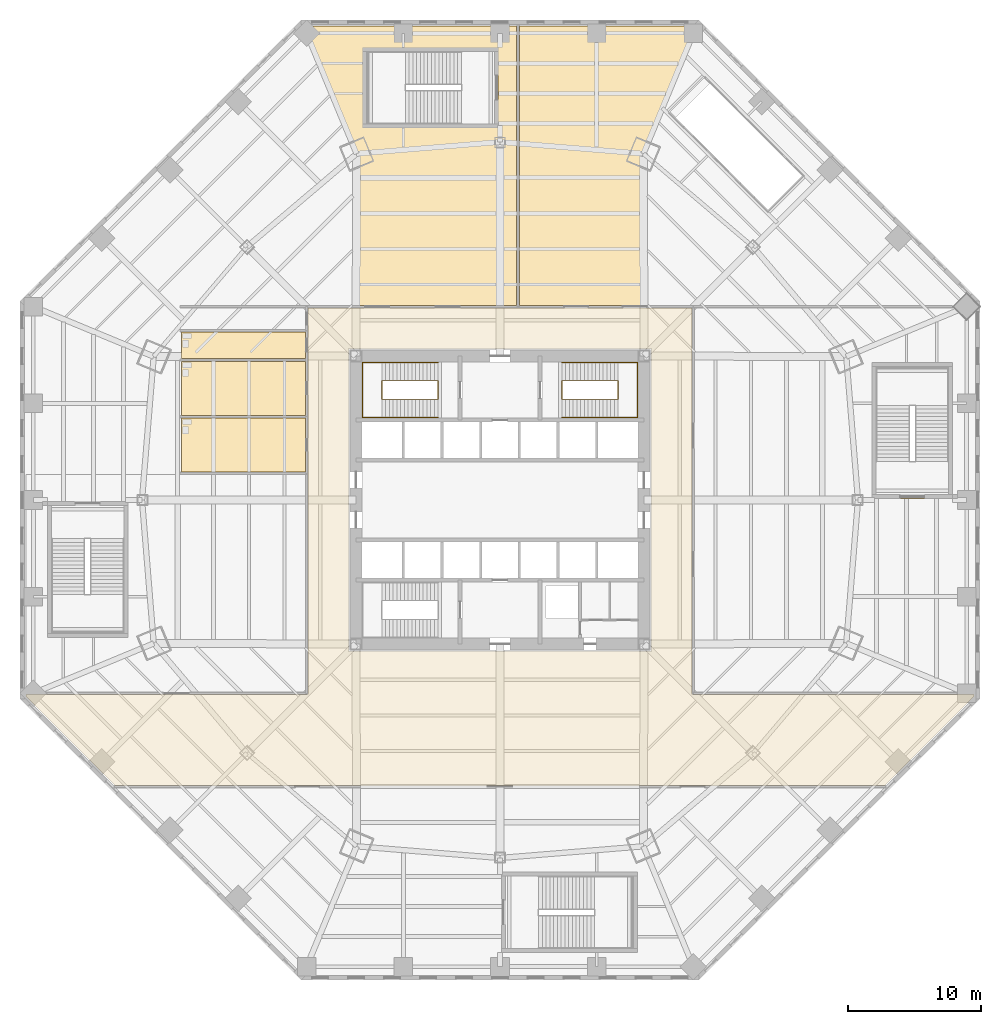
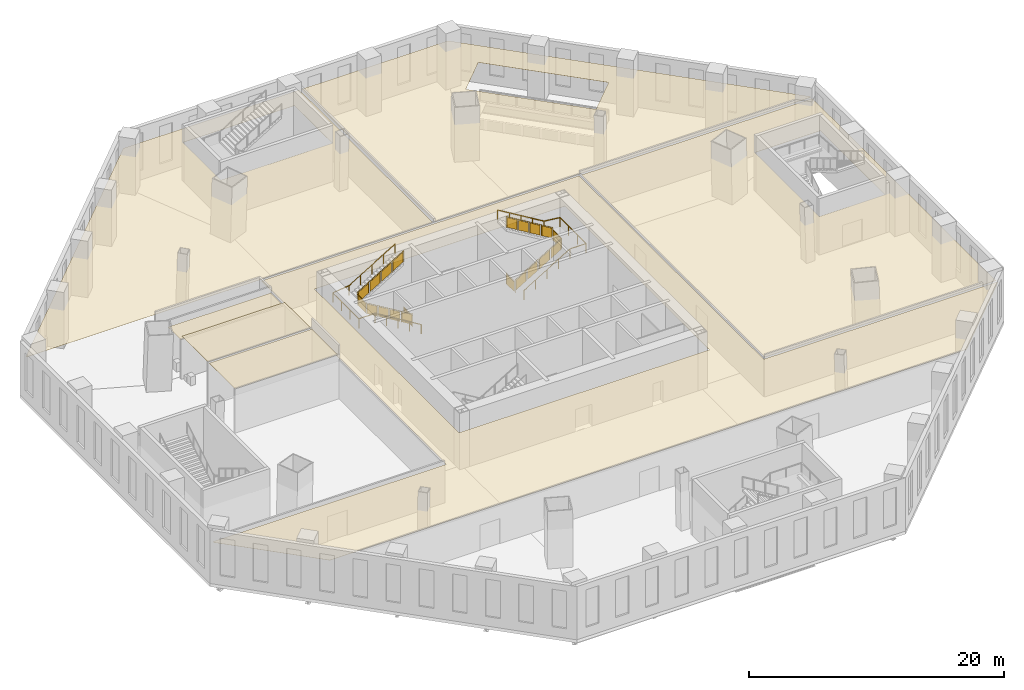
# One storey, part 16 of 18: 7 coverings, 4 railings.
"""IFC4 building model written with IfcOpenShell, lengths in metres."""

from ifc_helpers import new_model, si_unit, direction, frame, origin, origin_2d, place, context, subcontext, project, spatial, polyline, circle, outline, extrude, material, layer, layer_set, type_object, element, save


model = new_model("IFC4")

# Units and contexts
model_context = context("Model", 3, precision=1e-05, world=origin(), true_north=direction((0.0, 1.0)))
body_context = subcontext(model_context, "Body", "Model", "MODEL_VIEW")
ifc_project = project(units=[si_unit("LENGTHUNIT", "METRE"), si_unit("AREAUNIT", "SQUARE_METRE"), si_unit("VOLUMEUNIT", "CUBIC_METRE"), si_unit("PLANEANGLEUNIT", "RADIAN"), si_unit("MASSUNIT", "GRAM", prefix="KILO")], contexts=[model_context])

# Site, building, storey
site_placement = place(None, origin())
site = spatial("IfcSite", under=ifc_project, at=site_placement, CompositionType="ELEMENT")
building_placement = place(site_placement, origin())
building = spatial("IfcBuilding", under=site, at=building_placement, Name="Mashrafa Tower", CompositionType="ELEMENT")
storey_placement = place(building_placement, frame((0.0, 0.0, 13.199951171875)))
storey = spatial("IfcBuildingStorey", under=building, at=storey_placement, Name="L02", CompositionType="ELEMENT", Elevation=13.199951171875)

# Railings
ifc_material_1 = material(Name="Steel guard with glass infill", Category="steel")
railing_type_1 = type_object("IfcRailingType", Name="Stair guard 1100", PredefinedType="GUARDRAIL", material=ifc_material_1)
railing_1_placement = place(storey_placement, frame((-4.64990234375, 8.949951171875, 0.0)))
element("IfcRailing", 1, at=railing_1_placement, inside=storey, type_object=railing_type_1, Name="Stair S1 guard L02", PredefinedType="GUARDRAIL", context=body_context, shape_type="SweptSolid", body=[
    extrude(circle(Radius=0.02392578125, at=origin_2d()), frame((0.0, 0.0, 1.076171875), z_axis=(0.0, -1.0, 0.0), x_axis=(1.0, 0.0, 0.0)), (0.0, 0.0, 1.0), 1.39990234375),
    extrude(circle(Radius=0.02392578125, at=origin_2d()), frame((0.0, -1.39990234375, 1.076171875), z_axis=(0.0, 0.0, 1.0), x_axis=(1.0, 0.0, 0.0)), (0.0, 0.0, 1.0), 0.168701171875),
    extrude(circle(Radius=0.02392578125, at=origin_2d()), frame((0.0, -1.39990234375, 1.24462890625), z_axis=(-0.856489757249, 0.0, 0.516164020179), x_axis=(0.0, -1.0, 0.0)), (0.0, 0.0, 1.0), 4.904052734375),
    extrude(circle(Radius=0.02392578125, at=origin_2d()), frame((-4.2001953125, -1.39990234375, 3.77587890625), z_axis=(0.0, 1.0, 0.0), x_axis=(-1.0, 0.0, 0.0)), (0.0, 0.0, 1.0), 1.39990234375),
    extrude(circle(Radius=0.02392578125, at=origin_2d()), frame((-4.2001953125, 0.0, 3.77587890625), z_axis=(0.0, 0.0, 1.0), x_axis=(1.0, 0.0, 0.0)), (0.0, 0.0, 1.0), 0.168701171875),
    extrude(circle(Radius=0.02392578125, at=origin_2d()), frame((-4.2001953125, 0.0, 3.94482421875), z_axis=(0.856467747918, 0.0, 0.516200539303), x_axis=(0.0, 1.0, 0.0)), (0.0, 0.0, 1.0), 4.904052734375),
    extrude(circle(Radius=0.02099609375, at=origin_2d()), origin(), (0.0, 0.0, 1.0), 1.052001953125),
    extrude(circle(Radius=0.02099609375, at=origin_2d()), frame((0.0, -1.39990234375, 0.0)), (0.0, 0.0, 1.0), 1.052001953125),
    extrude(circle(Radius=0.02099609375, at=origin_2d()), frame((0.0, -1.39990234375, 0.168701171875)), (0.0, 0.0, 1.0), 1.052001953125),
    extrude(circle(Radius=0.02099609375, at=origin_2d()), frame((-1.050048828125, -1.39990234375, 0.801513671875)), (0.0, 0.0, 1.0), 1.052001953125),
    extrude(circle(Radius=0.02099609375, at=origin_2d()), frame((-2.10009765625, -1.39990234375, 1.434326171875)), (0.0, 0.0, 1.0), 1.052001953125),
    extrude(circle(Radius=0.02099609375, at=origin_2d()), frame((-3.150146484375, -1.39990234375, 2.067138671875)), (0.0, 0.0, 1.0), 1.052001953125),
    extrude(circle(Radius=0.02099609375, at=origin_2d()), frame((-4.2001953125, -1.39990234375, 2.699951171875)), (0.0, 0.0, 1.0), 1.052001953125),
    extrude(circle(Radius=0.02099609375, at=origin_2d()), frame((-4.2001953125, 0.0, 2.699951171875)), (0.0, 0.0, 1.0), 1.052001953125),
    extrude(circle(Radius=0.02099609375, at=origin_2d()), frame((-4.2001953125, 0.0, 2.86865234375)), (0.0, 0.0, 1.0), 1.052001953125),
    extrude(circle(Radius=0.02099609375, at=origin_2d()), frame((-3.150146484375, 0.0, 3.50146484375)), (0.0, 0.0, 1.0), 1.052001953125),
    extrude(circle(Radius=0.02099609375, at=origin_2d()), frame((-2.10009765625, 0.0, 4.13427734375)), (0.0, 0.0, 1.0), 1.052001953125),
    extrude(circle(Radius=0.02099609375, at=origin_2d()), frame((-1.050048828125, 0.0, 4.767333984375)), (0.0, 0.0, 1.0), 1.052001953125),
    extrude(circle(Radius=0.02099609375, at=origin_2d()), frame((0.0, 0.0, 5.400146484375)), (0.0, 0.0, 1.0), 1.052001953125),
    extrude(outline(polyline([(0.071044921875, 0.050048828125), (1.328857421875, 0.050048828125), (1.328857421875, 1.001953125), (0.071044921875, 1.001953125), (0.071044921875, 0.050048828125)])), frame((-0.006103515625, 0.0, 0.0), z_axis=(-1.0, 0.0, 0.0), x_axis=(0.0, -1.0, 0.0)), (0.0, 0.0, 1.0), 0.011962890625),
    extrude(outline(polyline([(0.071044921875, 0.0927734375), (0.97900390625, 0.64013671875), (0.97900390625, 1.592041015625), (0.071044921875, 1.044677734375), (0.071044921875, 0.0927734375)])), frame((0.0, -1.393798828125, 0.168701171875), z_axis=(0.0, 1.0, 0.0), x_axis=(-1.0, 0.0, 0.0)), (0.0, 0.0, 1.0), 0.011962890625),
    extrude(outline(polyline([(1.12109375, 0.7255859375), (2.029052734375, 1.27294921875), (2.029052734375, 2.224853515625), (1.12109375, 1.677490234375), (1.12109375, 0.7255859375)])), frame((0.0, -1.393798828125, 0.168701171875), z_axis=(0.0, 1.0, 0.0), x_axis=(-1.0, 0.0, 0.0)), (0.0, 0.0, 1.0), 0.011962890625),
    extrude(outline(polyline([(2.171142578125, 1.3583984375), (3.0791015625, 1.90576171875), (3.0791015625, 2.857666015625), (2.171142578125, 2.310302734375), (2.171142578125, 1.3583984375)])), frame((0.0, -1.393798828125, 0.168701171875), z_axis=(0.0, 1.0, 0.0), x_axis=(-1.0, 0.0, 0.0)), (0.0, 0.0, 1.0), 0.011962890625),
    extrude(outline(polyline([(3.22119140625, 1.9912109375), (4.129150390625, 2.53857421875), (4.129150390625, 3.490478515625), (3.22119140625, 2.943115234375), (3.22119140625, 1.9912109375)])), frame((0.0, -1.393798828125, 0.168701171875), z_axis=(0.0, 1.0, 0.0), x_axis=(-1.0, 0.0, 0.0)), (0.0, 0.0, 1.0), 0.011962890625),
    extrude(outline(polyline([(0.071044921875, 0.050048828125), (1.328857421875, 0.050048828125), (1.328857421875, 1.001953125), (0.071044921875, 1.001953125), (0.071044921875, 0.050048828125)])), frame((-4.194091796875, -1.39990234375, 2.699951171875), z_axis=(1.0, 0.0, 0.0), x_axis=(0.0, 1.0, 0.0)), (0.0, 0.0, 1.0), 0.011962890625),
    extrude(outline(polyline([(0.071044921875, 0.0927734375), (0.97900390625, 0.64013671875), (0.97900390625, 1.592041015625), (0.071044921875, 1.044677734375), (0.071044921875, 0.0927734375)])), frame((-4.2001953125, -0.006103515625, 2.86865234375), z_axis=(0.0, -1.0, 0.0), x_axis=(1.0, 0.0, 0.0)), (0.0, 0.0, 1.0), 0.011962890625),
    extrude(outline(polyline([(1.12109375, 0.7255859375), (2.029052734375, 1.27294921875), (2.029052734375, 2.224853515625), (1.12109375, 1.677734375), (1.12109375, 0.7255859375)])), frame((-4.2001953125, -0.006103515625, 2.86865234375), z_axis=(0.0, -1.0, 0.0), x_axis=(1.0, 0.0, 0.0)), (0.0, 0.0, 1.0), 0.011962890625),
    extrude(outline(polyline([(2.171142578125, 1.358642578125), (3.0791015625, 1.90576171875), (3.0791015625, 2.85791015625), (2.171142578125, 2.310546875), (2.171142578125, 1.358642578125)])), frame((-4.2001953125, -0.006103515625, 2.86865234375), z_axis=(0.0, -1.0, 0.0), x_axis=(1.0, 0.0, 0.0)), (0.0, 0.0, 1.0), 0.011962890625),
    extrude(outline(polyline([(3.22119140625, 1.991455078125), (4.129150390625, 2.538818359375), (4.129150390625, 3.49072265625), (3.22119140625, 2.943359375), (3.22119140625, 1.991455078125)])), frame((-4.2001953125, -0.006103515625, 2.86865234375), z_axis=(0.0, -1.0, 0.0), x_axis=(1.0, 0.0, 0.0)), (0.0, 0.0, 1.0), 0.011962890625),
])
railing_2_placement = place(storey_placement, frame((4.64990234375, 8.949951171875, 0.0)))
element("IfcRailing", 2, at=railing_2_placement, inside=storey, type_object=railing_type_1, Name="Stair S2 guard L02", PredefinedType="GUARDRAIL", context=body_context, shape_type="SweptSolid", body=[
    extrude(circle(Radius=0.02392578125, at=origin_2d()), frame((0.0, 0.0, 1.076171875), z_axis=(0.0, -1.0, 0.0), x_axis=(1.0, 0.0, 0.0)), (0.0, 0.0, 1.0), 1.39990234375),
    extrude(circle(Radius=0.02392578125, at=origin_2d()), frame((0.0, -1.39990234375, 1.076171875), z_axis=(0.0, 0.0, 1.0), x_axis=(1.0, 0.0, 0.0)), (0.0, 0.0, 1.0), 0.168701171875),
    extrude(circle(Radius=0.02392578125, at=origin_2d()), frame((0.0, -1.39990234375, 1.24462890625), z_axis=(0.856489757249, 0.0, 0.516164020179), x_axis=(0.0, 1.0, 0.0)), (0.0, 0.0, 1.0), 4.904052734375),
    extrude(circle(Radius=0.02392578125, at=origin_2d()), frame((4.2001953125, -1.39990234375, 3.77587890625), z_axis=(0.0, 1.0, 0.0), x_axis=(-1.0, 0.0, 0.0)), (0.0, 0.0, 1.0), 1.39990234375),
    extrude(circle(Radius=0.02392578125, at=origin_2d()), frame((4.2001953125, 0.0, 3.77587890625), z_axis=(0.0, 0.0, 1.0), x_axis=(1.0, 0.0, 0.0)), (0.0, 0.0, 1.0), 0.168701171875),
    extrude(circle(Radius=0.02392578125, at=origin_2d()), frame((4.2001953125, 0.0, 3.94482421875), z_axis=(-0.856467747918, 0.0, 0.516200539303), x_axis=(0.0, -1.0, 0.0)), (0.0, 0.0, 1.0), 4.904052734375),
    extrude(circle(Radius=0.02099609375, at=origin_2d()), origin(), (0.0, 0.0, 1.0), 1.052001953125),
    extrude(circle(Radius=0.02099609375, at=origin_2d()), frame((0.0, -1.39990234375, 0.0)), (0.0, 0.0, 1.0), 1.052001953125),
    extrude(circle(Radius=0.02099609375, at=origin_2d()), frame((0.0, -1.39990234375, 0.168701171875)), (0.0, 0.0, 1.0), 1.052001953125),
    extrude(circle(Radius=0.02099609375, at=origin_2d()), frame((1.050048828125, -1.39990234375, 0.801513671875)), (0.0, 0.0, 1.0), 1.052001953125),
    extrude(circle(Radius=0.02099609375, at=origin_2d()), frame((2.10009765625, -1.39990234375, 1.434326171875)), (0.0, 0.0, 1.0), 1.052001953125),
    extrude(circle(Radius=0.02099609375, at=origin_2d()), frame((3.150146484375, -1.39990234375, 2.067138671875)), (0.0, 0.0, 1.0), 1.052001953125),
    extrude(circle(Radius=0.02099609375, at=origin_2d()), frame((4.2001953125, -1.39990234375, 2.699951171875)), (0.0, 0.0, 1.0), 1.052001953125),
    extrude(circle(Radius=0.02099609375, at=origin_2d()), frame((4.2001953125, 0.0, 2.699951171875)), (0.0, 0.0, 1.0), 1.052001953125),
    extrude(circle(Radius=0.02099609375, at=origin_2d()), frame((4.2001953125, 0.0, 2.86865234375)), (0.0, 0.0, 1.0), 1.052001953125),
    extrude(circle(Radius=0.02099609375, at=origin_2d()), frame((3.150146484375, 0.0, 3.50146484375)), (0.0, 0.0, 1.0), 1.052001953125),
    extrude(circle(Radius=0.02099609375, at=origin_2d()), frame((2.10009765625, 0.0, 4.13427734375)), (0.0, 0.0, 1.0), 1.052001953125),
    extrude(circle(Radius=0.02099609375, at=origin_2d()), frame((1.050048828125, 0.0, 4.767333984375)), (0.0, 0.0, 1.0), 1.052001953125),
    extrude(circle(Radius=0.02099609375, at=origin_2d()), frame((0.0, 0.0, 5.400146484375)), (0.0, 0.0, 1.0), 1.052001953125),
    extrude(outline(polyline([(0.071044921875, 0.050048828125), (1.328857421875, 0.050048828125), (1.328857421875, 1.001953125), (0.071044921875, 1.001953125), (0.071044921875, 0.050048828125)])), frame((-0.006103515625, 0.0, 0.0), z_axis=(-1.0, 0.0, 0.0), x_axis=(0.0, -1.0, 0.0)), (0.0, 0.0, 1.0), 0.011962890625),
    extrude(outline(polyline([(0.071044921875, 0.0927734375), (0.97900390625, 0.64013671875), (0.97900390625, 1.592041015625), (0.071044921875, 1.044677734375), (0.071044921875, 0.0927734375)])), frame((0.0, -1.406005859375, 0.168701171875), z_axis=(0.0, -1.0, 0.0), x_axis=(1.0, 0.0, 0.0)), (0.0, 0.0, 1.0), 0.011962890625),
    extrude(outline(polyline([(1.12109375, 0.7255859375), (2.029052734375, 1.27294921875), (2.029052734375, 2.224853515625), (1.12109375, 1.677490234375), (1.12109375, 0.7255859375)])), frame((0.0, -1.406005859375, 0.168701171875), z_axis=(0.0, -1.0, 0.0), x_axis=(1.0, 0.0, 0.0)), (0.0, 0.0, 1.0), 0.011962890625),
    extrude(outline(polyline([(2.171142578125, 1.3583984375), (3.0791015625, 1.90576171875), (3.0791015625, 2.857666015625), (2.171142578125, 2.310302734375), (2.171142578125, 1.3583984375)])), frame((0.0, -1.406005859375, 0.168701171875), z_axis=(0.0, -1.0, 0.0), x_axis=(1.0, 0.0, 0.0)), (0.0, 0.0, 1.0), 0.011962890625),
    extrude(outline(polyline([(3.22119140625, 1.9912109375), (4.129150390625, 2.53857421875), (4.129150390625, 3.490478515625), (3.22119140625, 2.943115234375), (3.22119140625, 1.9912109375)])), frame((0.0, -1.406005859375, 0.168701171875), z_axis=(0.0, -1.0, 0.0), x_axis=(1.0, 0.0, 0.0)), (0.0, 0.0, 1.0), 0.011962890625),
    extrude(outline(polyline([(0.071044921875, 0.050048828125), (1.328857421875, 0.050048828125), (1.328857421875, 1.001953125), (0.071044921875, 1.001953125), (0.071044921875, 0.050048828125)])), frame((4.206298828125, -1.39990234375, 2.699951171875), z_axis=(1.0, 0.0, 0.0), x_axis=(0.0, 1.0, 0.0)), (0.0, 0.0, 1.0), 0.011962890625),
    extrude(outline(polyline([(0.071044921875, 0.0927734375), (0.97900390625, 0.64013671875), (0.97900390625, 1.592041015625), (0.071044921875, 1.044677734375), (0.071044921875, 0.0927734375)])), frame((4.2001953125, 0.006103515625, 2.86865234375), z_axis=(0.0, 1.0, 0.0), x_axis=(-1.0, 0.0, 0.0)), (0.0, 0.0, 1.0), 0.011962890625),
    extrude(outline(polyline([(1.12109375, 0.7255859375), (2.029052734375, 1.27294921875), (2.029052734375, 2.224853515625), (1.12109375, 1.677734375), (1.12109375, 0.7255859375)])), frame((4.2001953125, 0.006103515625, 2.86865234375), z_axis=(0.0, 1.0, 0.0), x_axis=(-1.0, 0.0, 0.0)), (0.0, 0.0, 1.0), 0.011962890625),
    extrude(outline(polyline([(2.171142578125, 1.358642578125), (3.0791015625, 1.90576171875), (3.0791015625, 2.85791015625), (2.171142578125, 2.310546875), (2.171142578125, 1.358642578125)])), frame((4.2001953125, 0.006103515625, 2.86865234375), z_axis=(0.0, 1.0, 0.0), x_axis=(-1.0, 0.0, 0.0)), (0.0, 0.0, 1.0), 0.011962890625),
    extrude(outline(polyline([(3.22119140625, 1.991455078125), (4.129150390625, 2.538818359375), (4.129150390625, 3.49072265625), (3.22119140625, 2.943359375), (3.22119140625, 1.991455078125)])), frame((4.2001953125, 0.006103515625, 2.86865234375), z_axis=(0.0, 1.0, 0.0), x_axis=(-1.0, 0.0, 0.0)), (0.0, 0.0, 1.0), 0.011962890625),
])
ifc_material_2 = material(Name="Steel", Category="steel")
railing_type_2 = type_object("IfcRailingType", Name="Stair handrail 900", PredefinedType="HANDRAIL", material=ifc_material_2)
railing_3_placement = place(storey_placement, frame((-4.64990234375, 6.199951171875, 0.168701171875)))
element("IfcRailing", 3, at=railing_3_placement, inside=storey, type_object=railing_type_2, Name="Stair S1 handrail L02", PredefinedType="HANDRAIL", context=body_context, shape_type="SweptSolid", body=[
    extrude(circle(Radius=0.02392578125, at=origin_2d()), frame((0.0, 0.0, 0.8759765625), z_axis=(-0.856489757249, 0.0, 0.516164020179), x_axis=(0.0, -1.0, 0.0)), (0.0, 0.0, 1.0), 4.904052734375),
    extrude(circle(Radius=0.02392578125, at=origin_2d()), frame((-4.2001953125, 0.0, 3.4072265625), z_axis=(-1.0, 0.0, 0.0), x_axis=(0.0, -1.0, 0.0)), (0.0, 0.0, 1.0), 1.449951171875),
    extrude(circle(Radius=0.02392578125, at=origin_2d()), frame((-5.650146484375, 0.0, 3.4072265625), z_axis=(0.0, 1.0, 0.0), x_axis=(-1.0, 0.0, 0.0)), (0.0, 0.0, 1.0), 4.10009765625),
    extrude(circle(Radius=0.02392578125, at=origin_2d()), frame((-5.650146484375, 4.10009765625, 3.4072265625), z_axis=(0.993299345603, 0.0, 0.115569935648), x_axis=(0.0, 1.0, 0.0)), (0.0, 0.0, 1.0), 1.459716796875),
    extrude(circle(Radius=0.02392578125, at=origin_2d()), frame((-4.2001953125, 4.10009765625, 3.57568359375), z_axis=(0.856467747918, 0.0, 0.516200539303), x_axis=(0.0, 1.0, 0.0)), (0.0, 0.0, 1.0), 4.904052734375),
    extrude(circle(Radius=0.02099609375, at=origin_2d()), origin(), (0.0, 0.0, 1.0), 0.851806640625),
    extrude(circle(Radius=0.02099609375, at=origin_2d()), frame((-1.050048828125, 0.0, 0.6328125)), (0.0, 0.0, 1.0), 0.851806640625),
    extrude(circle(Radius=0.02099609375, at=origin_2d()), frame((-2.10009765625, 0.0, 1.265625)), (0.0, 0.0, 1.0), 0.851806640625),
    extrude(circle(Radius=0.02099609375, at=origin_2d()), frame((-3.150146484375, 0.0, 1.8984375)), (0.0, 0.0, 1.0), 0.851806640625),
    extrude(circle(Radius=0.02099609375, at=origin_2d()), frame((-4.2001953125, 0.0, 2.53125)), (0.0, 0.0, 1.0), 0.851806640625),
    extrude(circle(Radius=0.02099609375, at=origin_2d()), frame((-5.650146484375, 0.0, 2.53125)), (0.0, 0.0, 1.0), 0.851806640625),
    extrude(circle(Radius=0.02099609375, at=origin_2d()), frame((-5.650146484375, 1.36669921875, 2.53125)), (0.0, 0.0, 1.0), 0.851806640625),
    extrude(circle(Radius=0.02099609375, at=origin_2d()), frame((-5.650146484375, 2.7333984375, 2.53125)), (0.0, 0.0, 1.0), 0.851806640625),
    extrude(circle(Radius=0.02099609375, at=origin_2d()), frame((-5.650146484375, 4.10009765625, 2.53125)), (0.0, 0.0, 1.0), 0.851806640625),
    extrude(circle(Radius=0.02099609375, at=origin_2d()), frame((-4.2001953125, 4.10009765625, 2.699951171875)), (0.0, 0.0, 1.0), 0.851806640625),
    extrude(circle(Radius=0.02099609375, at=origin_2d()), frame((-3.150146484375, 4.10009765625, 3.332763671875)), (0.0, 0.0, 1.0), 0.851806640625),
    extrude(circle(Radius=0.02099609375, at=origin_2d()), frame((-2.10009765625, 4.10009765625, 3.9658203125)), (0.0, 0.0, 1.0), 0.851806640625),
    extrude(circle(Radius=0.02099609375, at=origin_2d()), frame((-1.050048828125, 4.10009765625, 4.5986328125)), (0.0, 0.0, 1.0), 0.851806640625),
    extrude(circle(Radius=0.02099609375, at=origin_2d()), frame((0.0, 4.10009765625, 5.2314453125)), (0.0, 0.0, 1.0), 0.851806640625),
])
railing_4_placement = place(storey_placement, frame((4.64990234375, 6.199951171875, 0.168701171875)))
element("IfcRailing", 4, at=railing_4_placement, inside=storey, type_object=railing_type_2, Name="Stair S2 handrail L02", PredefinedType="HANDRAIL", context=body_context, shape_type="SweptSolid", body=[
    extrude(circle(Radius=0.02392578125, at=origin_2d()), frame((0.0, 0.0, 0.8759765625), z_axis=(0.856489757249, 0.0, 0.516164020179), x_axis=(0.0, 1.0, 0.0)), (0.0, 0.0, 1.0), 4.904052734375),
    extrude(circle(Radius=0.02392578125, at=origin_2d()), frame((4.2001953125, 0.0, 3.4072265625), z_axis=(1.0, 0.0, 0.0), x_axis=(0.0, 1.0, 0.0)), (0.0, 0.0, 1.0), 1.449951171875),
    extrude(circle(Radius=0.02392578125, at=origin_2d()), frame((5.650146484375, 0.0, 3.4072265625), z_axis=(0.0, 1.0, 0.0), x_axis=(-1.0, 0.0, 0.0)), (0.0, 0.0, 1.0), 4.10009765625),
    extrude(circle(Radius=0.02392578125, at=origin_2d()), frame((5.650146484375, 4.10009765625, 3.4072265625), z_axis=(-0.993299345603, 0.0, 0.115569935648), x_axis=(0.0, -1.0, 0.0)), (0.0, 0.0, 1.0), 1.459716796875),
    extrude(circle(Radius=0.02392578125, at=origin_2d()), frame((4.2001953125, 4.10009765625, 3.57568359375), z_axis=(-0.856467747918, 0.0, 0.516200539303), x_axis=(0.0, -1.0, 0.0)), (0.0, 0.0, 1.0), 4.904052734375),
    extrude(circle(Radius=0.02099609375, at=origin_2d()), origin(), (0.0, 0.0, 1.0), 0.851806640625),
    extrude(circle(Radius=0.02099609375, at=origin_2d()), frame((1.050048828125, 0.0, 0.6328125)), (0.0, 0.0, 1.0), 0.851806640625),
    extrude(circle(Radius=0.02099609375, at=origin_2d()), frame((2.10009765625, 0.0, 1.265625)), (0.0, 0.0, 1.0), 0.851806640625),
    extrude(circle(Radius=0.02099609375, at=origin_2d()), frame((3.150146484375, 0.0, 1.8984375)), (0.0, 0.0, 1.0), 0.851806640625),
    extrude(circle(Radius=0.02099609375, at=origin_2d()), frame((4.2001953125, 0.0, 2.53125)), (0.0, 0.0, 1.0), 0.851806640625),
    extrude(circle(Radius=0.02099609375, at=origin_2d()), frame((5.650146484375, 0.0, 2.53125)), (0.0, 0.0, 1.0), 0.851806640625),
    extrude(circle(Radius=0.02099609375, at=origin_2d()), frame((5.650146484375, 1.36669921875, 2.53125)), (0.0, 0.0, 1.0), 0.851806640625),
    extrude(circle(Radius=0.02099609375, at=origin_2d()), frame((5.650146484375, 2.7333984375, 2.53125)), (0.0, 0.0, 1.0), 0.851806640625),
    extrude(circle(Radius=0.02099609375, at=origin_2d()), frame((5.650146484375, 4.10009765625, 2.53125)), (0.0, 0.0, 1.0), 0.851806640625),
    extrude(circle(Radius=0.02099609375, at=origin_2d()), frame((4.2001953125, 4.10009765625, 2.699951171875)), (0.0, 0.0, 1.0), 0.851806640625),
    extrude(circle(Radius=0.02099609375, at=origin_2d()), frame((3.150146484375, 4.10009765625, 3.332763671875)), (0.0, 0.0, 1.0), 0.851806640625),
    extrude(circle(Radius=0.02099609375, at=origin_2d()), frame((2.10009765625, 4.10009765625, 3.9658203125)), (0.0, 0.0, 1.0), 0.851806640625),
    extrude(circle(Radius=0.02099609375, at=origin_2d()), frame((1.050048828125, 4.10009765625, 4.5986328125)), (0.0, 0.0, 1.0), 0.851806640625),
    extrude(circle(Radius=0.02099609375, at=origin_2d()), frame((0.0, 4.10009765625, 5.2314453125)), (0.0, 0.0, 1.0), 0.851806640625),
])

# Coverings
ifc_material_3 = material(Name="Mineral fibre tile on suspension grid")
ifc_layer = layer(ifc_material_3, 0.014892578125)
ifc_layer_set = layer_set([ifc_layer], Name="Suspended ceiling mineral tile 15")
covering_type = type_object("IfcCoveringType", Name="Suspended ceiling mineral tile 15", PredefinedType="CEILING", material=ifc_layer_set)
covering_1_placement = place(storey_placement, frame((0.0, 0.0, 4.10009765625)))
element("IfcCovering", 5, at=covering_1_placement, inside=storey, type_object=covering_type, Name="Ceiling WC Female L02", PredefinedType="CEILING", context=body_context, shape_type="SweptSolid", body=[
    extrude(outline(polyline([(-23.89990234375, 6.14990234375), (-14.60009765625, 6.14990234375), (-14.60009765625, 2.10009765625), (-23.89990234375, 2.10009765625), (-23.89990234375, 6.14990234375)])), origin(), (0.0, 0.0, 1.0), 0.014892578125),
])
covering_2_placement = place(storey_placement, frame((0.0, 0.0, 4.10009765625)))
element("IfcCovering", 6, at=covering_2_placement, inside=storey, type_object=covering_type, Name="Ceiling WC Male L02", PredefinedType="CEILING", context=body_context, shape_type="SweptSolid", body=[
    extrude(outline(polyline([(-23.89990234375, 10.39990234375), (-14.60009765625, 10.39990234375), (-14.60009765625, 6.35009765625), (-23.89990234375, 6.35009765625), (-23.89990234375, 10.39990234375)])), origin(), (0.0, 0.0, 1.0), 0.014892578125),
])
covering_3_placement = place(storey_placement, frame((0.0, 0.0, 3.650146484375)))
element("IfcCovering", 7, at=covering_3_placement, inside=storey, type_object=covering_type, Name="Ceiling Accessible WC L02", PredefinedType="CEILING", context=body_context, shape_type="SweptSolid", body=[
    extrude(outline(polyline([(-23.89990234375, 12.60009765625), (-14.60009765625, 12.60009765625), (-14.60009765625, 10.60009765625), (-23.89990234375, 10.60009765625), (-23.89990234375, 12.60009765625)])), origin(), (0.0, 0.0, 1.0), 0.014892578125),
])
covering_4_placement = place(storey_placement, frame((0.0, 0.0, 3.650146484375)))
element("IfcCovering", 8, at=covering_4_placement, inside=storey, type_object=covering_type, Name="Ceiling Exhibition Gallery 201", PredefinedType="CEILING", context=body_context, shape_type="SweptSolid", body=[
    extrude(outline(polyline([(1.25, 14.60009765625), (-35.550048828125, 14.60009765625), (-35.550048828125, 14.725341796875), (-14.725341796875, 35.550048828125), (1.25, 35.550048828125), (1.25, 14.60009765625)]), holes=[polyline([(-10.25, 27.949951171875), (-0.14990234375, 27.949951171875), (-0.14990234375, 33.89990234375), (-10.25, 33.89990234375), (-10.25, 27.949951171875)])]), origin(), (0.0, 0.0, 1.0), 0.014892578125),
])
covering_5_placement = place(storey_placement, frame((0.0, 0.0, 3.650146484375)))
element("IfcCovering", 9, at=covering_5_placement, inside=storey, type_object=covering_type, Name="Ceiling Exhibition Gallery 202", PredefinedType="CEILING", context=body_context, shape_type="SweptSolid", body=[
    extrude(outline(polyline([(1.449951171875, 35.550048828125), (14.725341796875, 35.550048828125), (35.550048828125, 14.725341796875), (35.550048828125, 14.60009765625), (1.449951171875, 14.60009765625), (1.449951171875, 35.550048828125)]), holes=[polyline([(22.7900390625, 24.30322265625), (15.30029296875, 31.793212890625), (12.61328125, 29.106201171875), (20.10302734375, 21.6162109375), (22.7900390625, 24.30322265625)])]), origin(), (0.0, 0.0, 1.0), 0.014892578125),
])
covering_6_placement = place(storey_placement, frame((0.0, 0.0, 3.650146484375)))
element("IfcCovering", 10, at=covering_6_placement, inside=storey, type_object=covering_type, Name="Ceiling Exhibition Gallery 203", PredefinedType="CEILING", context=body_context, shape_type="SweptSolid", body=[
    extrude(outline(polyline([(14.60009765625, 14.39990234375), (35.550048828125, 14.39990234375), (35.550048828125, -14.39990234375), (14.60009765625, -14.39990234375), (14.60009765625, 14.39990234375)]), holes=[polyline([(33.89990234375, 10.25), (27.949951171875, 10.25), (27.949951171875, 0.14990234375), (33.89990234375, 0.14990234375), (33.89990234375, 10.25)])]), origin(), (0.0, 0.0, 1.0), 0.014892578125),
])
covering_7_placement = place(storey_placement, frame((0.0, 0.0, 3.650146484375)))
element("IfcCovering", 11, at=covering_7_placement, inside=storey, type_object=covering_type, Name="Ceiling Conference Foyer L02", PredefinedType="CEILING", context=body_context, shape_type="SweptSolid", body=[
    extrude(outline(polyline([(-35.550048828125, -14.725341796875), (-35.550048828125, -14.60009765625), (-14.39990234375, -14.60009765625), (-14.39990234375, 14.39990234375), (14.39990234375, 14.39990234375), (14.39990234375, -14.60009765625), (35.550048828125, -14.60009765625), (35.550048828125, -14.725341796875), (28.875244140625, -21.39990234375), (-28.875244140625, -21.39990234375), (-35.550048828125, -14.725341796875)]), holes=[polyline([(11.35009765625, -11.35009765625), (11.35009765625, 11.35009765625), (-11.35009765625, 11.35009765625), (-11.35009765625, -11.35009765625), (11.35009765625, -11.35009765625)])]), origin(), (0.0, 0.0, 1.0), 0.014892578125),
])

save(model, "model.ifc")
